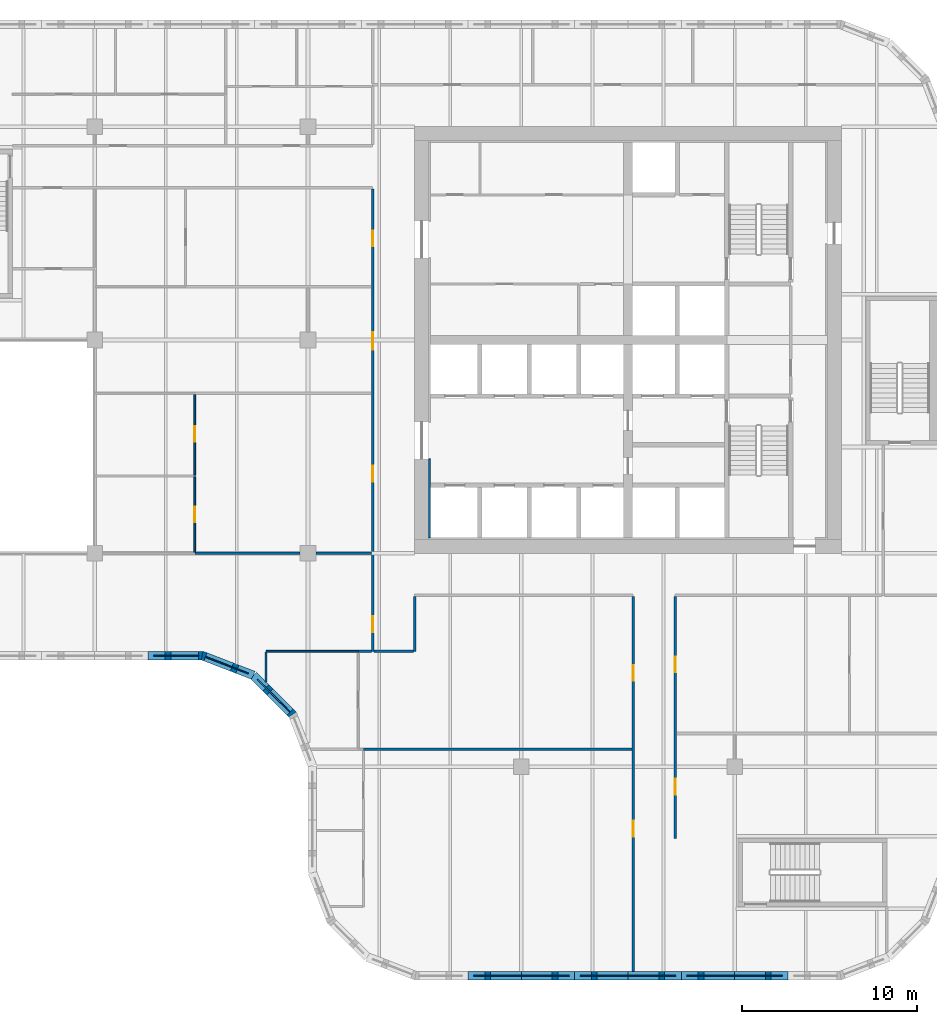
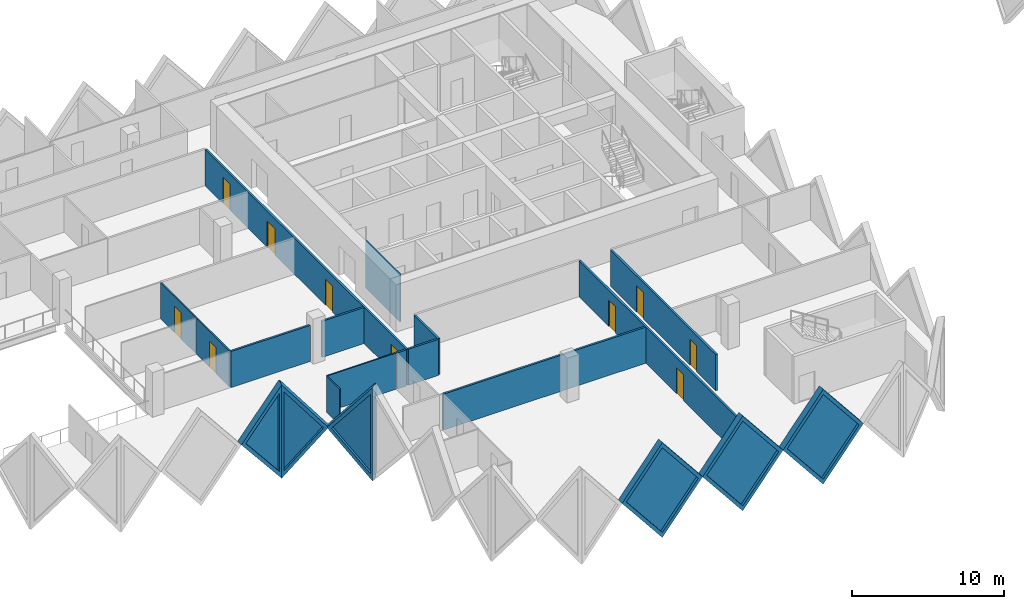
# One storey, part 5 of 21: 20 walls, 10 doors, 6 plates, 16 openings.
"""IFC4 building model written with IfcOpenShell, lengths in metres."""

from ifc_helpers import new_model, si_unit, direction, frame, frame_2d, origin, place, context, subcontext, project, spatial, polyline, rectangle, outline, extrude, faceted_brep, source, transform, mapped, material, layer, layer_set, type_object, element, fill, save


model = new_model("IFC4")

# Units and contexts
model_context = context("Model", 3, precision=1e-05, world=origin(), true_north=direction((0.0, 1.0)))
body_context = subcontext(model_context, "Body", "Model", "MODEL_VIEW")
ifc_project = project(units=[si_unit("LENGTHUNIT", "METRE"), si_unit("AREAUNIT", "SQUARE_METRE"), si_unit("VOLUMEUNIT", "CUBIC_METRE"), si_unit("PLANEANGLEUNIT", "RADIAN"), si_unit("MASSUNIT", "GRAM", prefix="KILO")], contexts=[model_context])

# Site, building, storey
site_placement = place(None, origin())
site = spatial("IfcSite", under=ifc_project, at=site_placement, CompositionType="ELEMENT")
building_placement = place(site_placement, origin())
building = spatial("IfcBuilding", under=site, at=building_placement, Name="Tessera Gate Towers", CompositionType="ELEMENT")
storey_placement = place(building_placement, frame((0.0, 0.0, 91.39990234375)))
storey = spatial("IfcBuildingStorey", under=building, at=storey_placement, Name="L22", CompositionType="ELEMENT", Elevation=91.39990234375)

# Wall
ifc_material_1 = material(Name="Concrete C60/75", Category="concrete")
ifc_layer_1 = layer(ifc_material_1, 0.10009765625)
ifc_layer_set_1 = layer_set([ifc_layer_1], Name="CORE WALL THICKENING 100")
wall_type_1 = type_object("IfcWallType", Name="CORE WALL THICKENING 100", PredefinedType="SOLIDWALL", material=ifc_layer_set_1)
wall_1_placement = place(storey_placement, frame((31.35009765625, 25.300048828125, 0.0), z_axis=(0.0, 0.0, 1.0), x_axis=(0.0, 1.0, 0.0)))
element("IfcWall", 1, at=wall_1_placement, inside=storey, type_object=wall_type_1, Name="Core wall thickening W L22", PredefinedType="SOLIDWALL", context=body_context, shape_type="SweptSolid", body=[
    extrude(rectangle(XDim=4.5, YDim=0.10009765625, at=frame_2d((2.25, 0.0))), origin(), (0.0, 0.0, 1.0), 3.800048828125),
])

# Wall, openings, doors
ifc_material_2 = material(Name="Gypsum board on steel studs, mineral wool", Category="steel")
ifc_layer_2 = layer(ifc_material_2, 0.14990234375)
ifc_layer_set_2 = layer_set([ifc_layer_2], Name="CORRIDOR WALL 150")
wall_type_2 = type_object("IfcWallType", Name="CORRIDOR WALL 150", PredefinedType="PARTITIONING", material=ifc_layer_set_2)
wall_2_placement = place(storey_placement, frame((43.0, 0.5, 0.0), z_axis=(0.0, 0.0, 1.0), x_axis=(0.0, 1.0, 0.0)))
wall_2 = element("IfcWall", 2, at=wall_2_placement, inside=storey, type_object=wall_type_2, Name="T1-L22-PW-001", PredefinedType="PARTITIONING", context=body_context, shape_type="SweptSolid", body=[
    extrude(rectangle(XDim=21.424072265625, YDim=0.14990234375, at=frame_2d((10.7119140625, 0.0))), origin(), (0.0, 0.0, 1.0), 2.89501953125),
])
shared_shape_1 = source(origin(), body_context, "Body", "SweptSolid", [
    extrude(rectangle(XDim=0.89990234375, YDim=2.10009765625, at=frame_2d((0.449951171875, 1.050048828125))), frame((0.0, 0.0849609375, 0.0), z_axis=(0.0, -1.0, 0.0), x_axis=(1.0, 0.0, 0.0)), (0.0, 0.0, 1.0), 0.169921875),
])
opening_1_placement = place(wall_2_placement, frame((16.60107421875, 0.0, 0.0)))
opening_1 = element("IfcOpeningElement", 3, at=opening_1_placement, cuts=wall_2, Name="Opening D890FD60-A08-07", PredefinedType="OPENING", context=body_context, shape_type="MappedRepresentation", body=[
    mapped(shared_shape_1, transform((0.0, 0.0, 0.0), scale=1.0)),
])
opening_2_placement = place(wall_2_placement, frame((7.699951171875, 0.0, 0.0)))
opening_2 = element("IfcOpeningElement", 4, at=opening_2_placement, cuts=wall_2, Name="Opening D890FD60-A08-08", PredefinedType="OPENING", context=body_context, shape_type="MappedRepresentation", body=[
    mapped(shared_shape_1, transform((0.0, 0.0, 0.0), scale=1.0)),
])
ifc_material_3 = material(Name="Timber door leaf in steel frame", Category="steel")
door_type_1 = type_object("IfcDoorType", Name="CORRIDOR DOOR 900 FD60", OperationType="NOTDEFINED", PredefinedType="DOOR", material=ifc_material_3)
shared_shape_2 = source(origin(), body_context, "Body", "SweptSolid", [
    extrude(rectangle(XDim=0.89990234375, YDim=2.10009765625, at=frame_2d((0.449951171875, 1.050048828125))), frame((0.0, 0.02490234375, 0.0), z_axis=(0.0, -1.0, 0.0), x_axis=(1.0, 0.0, 0.0)), (0.0, 0.0, 1.0), 0.050048828125),
])
door_1_placement = place(opening_1_placement, origin())
door_1 = element("IfcDoor", 5, at=door_1_placement, inside=storey, type_object=door_type_1, Name="T1-L22-PD-022", OperationType="SINGLE_SWING_LEFT", OverallHeight=2.10009765625, OverallWidth=0.89990234375, PredefinedType="DOOR", context=body_context, shape_type="MappedRepresentation", body=[
    mapped(shared_shape_2, transform((0.0, 0.0, 0.0), scale=1.0)),
])
fill(opening_1, door_1)
door_2_placement = place(opening_2_placement, origin())
door_2 = element("IfcDoor", 6, at=door_2_placement, inside=storey, type_object=door_type_1, Name="T1-L22-PD-023", OperationType="SINGLE_SWING_LEFT", OverallHeight=2.10009765625, OverallWidth=0.89990234375, PredefinedType="DOOR", context=body_context, shape_type="MappedRepresentation", body=[
    mapped(shared_shape_2, transform((0.0, 0.0, 0.0), scale=1.0)),
])
fill(opening_2, door_2)

wall_3_placement = place(storey_placement, frame((45.39990234375, 21.924072265625, 0.0), z_axis=(0.0, 0.0, 1.0), x_axis=(0.0, -1.0, 0.0)))
wall_3 = element("IfcWall", 7, at=wall_3_placement, inside=storey, type_object=wall_type_2, Name="T1-L22-PW-005", PredefinedType="PARTITIONING", context=body_context, shape_type="SweptSolid", body=[
    extrude(rectangle(XDim=13.823974609375, YDim=0.14990234375, at=frame_2d((6.912109375, 0.0))), origin(), (0.0, 0.0, 1.0), 2.89501953125),
])
opening_3_placement = place(wall_3_placement, frame((10.424072265625, 0.0, 0.0)))
opening_3 = element("IfcOpeningElement", 8, at=opening_3_placement, cuts=wall_3, Name="Opening D890FD60-A08-03", PredefinedType="OPENING", context=body_context, shape_type="MappedRepresentation", body=[
    mapped(shared_shape_1, transform((0.0, 0.0, 0.0), scale=1.0)),
])
opening_4_placement = place(wall_3_placement, frame((3.424072265625, 0.0, 0.0)))
opening_4 = element("IfcOpeningElement", 9, at=opening_4_placement, cuts=wall_3, Name="Opening D890FD60-A08-04", PredefinedType="OPENING", context=body_context, shape_type="MappedRepresentation", body=[
    mapped(shared_shape_1, transform((0.0, 0.0, 0.0), scale=1.0)),
])
door_3_placement = place(opening_3_placement, origin())
door_3 = element("IfcDoor", 10, at=door_3_placement, inside=storey, type_object=door_type_1, Name="T1-L22-PD-014", OperationType="SINGLE_SWING_RIGHT", OverallHeight=2.10009765625, OverallWidth=0.89990234375, PredefinedType="DOOR", context=body_context, shape_type="MappedRepresentation", body=[
    mapped(shared_shape_2, transform((0.0, 0.0, 0.0), scale=1.0)),
])
fill(opening_3, door_3)
door_4_placement = place(opening_4_placement, origin())
door_4 = element("IfcDoor", 11, at=door_4_placement, inside=storey, type_object=door_type_1, Name="T1-L22-PD-019", OperationType="SINGLE_SWING_RIGHT", OverallHeight=2.10009765625, OverallWidth=0.89990234375, PredefinedType="DOOR", context=body_context, shape_type="MappedRepresentation", body=[
    mapped(shared_shape_2, transform((0.0, 0.0, 0.0), scale=1.0)),
])
fill(opening_4, door_4)

wall_4_placement = place(storey_placement, frame((28.10009765625, 18.800048828125, 0.0), z_axis=(0.0, 0.0, 1.0), x_axis=(0.0, 1.0, 0.0)))
wall_4 = element("IfcWall", 12, at=wall_4_placement, inside=storey, type_object=wall_type_2, Name="T1-L22-PW-018", PredefinedType="PARTITIONING", context=body_context, shape_type="SweptSolid", body=[
    extrude(rectangle(XDim=26.424072265625, YDim=0.14990234375, at=frame_2d((13.2119140625, 0.0))), origin(), (0.0, 0.0, 1.0), 2.89501953125),
])
opening_5_placement = place(wall_4_placement, frame((1.10009765625, 0.0, 0.0)))
opening_5 = element("IfcOpeningElement", 13, at=opening_5_placement, cuts=wall_4, Name="Opening D890FD60-A08-01", PredefinedType="OPENING", context=body_context, shape_type="MappedRepresentation", body=[
    mapped(shared_shape_1, transform((0.0, 0.0, 0.0), scale=1.0)),
])
opening_6_placement = place(wall_4_placement, frame((23.15087890625, 0.0, 0.0)))
opening_6 = element("IfcOpeningElement", 14, at=opening_6_placement, cuts=wall_4, Name="Opening D890FD60-A08-02", PredefinedType="OPENING", context=body_context, shape_type="MappedRepresentation", body=[
    mapped(shared_shape_1, transform((0.0, 0.0, 0.0), scale=1.0)),
])
shared_shape_3 = source(origin(), body_context, "Body", "SweptSolid", [
    extrude(rectangle(XDim=1.0, YDim=2.10009765625, at=frame_2d((0.5, 1.050048828125))), frame((0.0, 0.0849609375, 0.0), z_axis=(0.0, -1.0, 0.0), x_axis=(1.0, 0.0, 0.0)), (0.0, 0.0, 1.0), 0.169921875),
])
opening_7_placement = place(wall_4_placement, frame((17.2509765625, 0.0, 0.0)))
opening_7 = element("IfcOpeningElement", 15, at=opening_7_placement, cuts=wall_4, Name="Opening D2100FD60-A08-02", PredefinedType="OPENING", context=body_context, shape_type="MappedRepresentation", body=[
    mapped(shared_shape_3, transform((0.0, 0.0, 0.0), scale=1.0)),
])
opening_8_placement = place(wall_4_placement, frame((9.699951171875, 0.0, 0.0)))
opening_8 = element("IfcOpeningElement", 16, at=opening_8_placement, cuts=wall_4, Name="Opening D890FD60-A08-11", PredefinedType="OPENING", context=body_context, shape_type="MappedRepresentation", body=[
    mapped(shared_shape_1, transform((0.0, 0.0, 0.0), scale=1.0)),
])
door_5_placement = place(opening_5_placement, origin())
door_5 = element("IfcDoor", 17, at=door_5_placement, inside=storey, type_object=door_type_1, Name="T1-L22-PD-001", OperationType="SINGLE_SWING_LEFT", OverallHeight=2.10009765625, OverallWidth=0.89990234375, PredefinedType="DOOR", context=body_context, shape_type="MappedRepresentation", body=[
    mapped(shared_shape_2, transform((0.0, 0.0, 0.0), scale=1.0)),
])
fill(opening_5, door_5)
door_6_placement = place(opening_6_placement, origin())
door_6 = element("IfcDoor", 18, at=door_6_placement, inside=storey, type_object=door_type_1, Name="T1-L22-PD-012", OperationType="SINGLE_SWING_LEFT", OverallHeight=2.10009765625, OverallWidth=0.89990234375, PredefinedType="DOOR", context=body_context, shape_type="MappedRepresentation", body=[
    mapped(shared_shape_2, transform((0.0, 0.0, 0.0), scale=1.0)),
])
fill(opening_6, door_6)
door_7_placement = place(opening_8_placement, origin())
door_7 = element("IfcDoor", 19, at=door_7_placement, inside=storey, type_object=door_type_1, Name="T1-L22-PD-026", OperationType="SINGLE_SWING_LEFT", OverallHeight=2.10009765625, OverallWidth=0.89990234375, PredefinedType="DOOR", context=body_context, shape_type="MappedRepresentation", body=[
    mapped(shared_shape_2, transform((0.0, 0.0, 0.0), scale=1.0)),
])
fill(opening_8, door_7)
ifc_material_4 = material(Name="Timber door leaf in steel frame", Category="steel")
door_type_2 = type_object("IfcDoorType", Name="TENANCY ENTRANCE DOOR 1000 FD60", OperationType="NOTDEFINED", PredefinedType="DOOR", material=ifc_material_4)
shared_shape_4 = source(origin(), body_context, "Body", "SweptSolid", [
    extrude(rectangle(XDim=1.0, YDim=2.10009765625, at=frame_2d((0.5, 1.050048828125))), frame((0.0, 0.02490234375, 0.0), z_axis=(0.0, -1.0, 0.0), x_axis=(1.0, 0.0, 0.0)), (0.0, 0.0, 1.0), 0.050048828125),
])
door_8_placement = place(opening_7_placement, origin())
door_8 = element("IfcDoor", 20, at=door_8_placement, inside=storey, type_object=door_type_2, Name="T1-L22-PD-015", OperationType="SINGLE_SWING_LEFT", OverallHeight=2.10009765625, OverallWidth=1.0, PredefinedType="DOOR", context=body_context, shape_type="MappedRepresentation", body=[
    mapped(shared_shape_4, transform((0.0, 0.0, 0.0), scale=1.0)),
])
fill(opening_7, door_8)

# Walls
wall_5_placement = place(storey_placement, frame((28.176025390625, 18.800048828125, 0.0), z_axis=(0.0, 0.0, 1.0), x_axis=(1.0, 0.0, 0.0)))
element("IfcWall", 21, at=wall_5_placement, inside=storey, type_object=wall_type_2, Name="T1-L22-PW-019", PredefinedType="PARTITIONING", context=body_context, shape_type="SweptSolid", body=[
    extrude(rectangle(XDim=2.248046875, YDim=0.14990234375, at=frame_2d((1.1240234375, 0.0))), origin(), (0.0, 0.0, 1.0), 2.89501953125),
])
wall_6_placement = place(storey_placement, frame((30.5, 18.800048828125, 0.0), z_axis=(0.0, 0.0, 1.0), x_axis=(0.0, 1.0, 0.0)))
element("IfcWall", 22, at=wall_6_placement, inside=storey, type_object=wall_type_2, Name="T1-L22-PW-020", PredefinedType="PARTITIONING", context=body_context, shape_type="SweptSolid", body=[
    extrude(rectangle(XDim=3.1240234375, YDim=0.14990234375, at=frame_2d((1.56201171875, 0.0))), origin(), (0.0, 0.0, 1.0), 2.89501953125),
])
ifc_material_5 = material(Name="Glass", Category="glass")
ifc_layer_3 = layer(ifc_material_5, 0.10009765625)
ifc_layer_set_3 = layer_set([ifc_layer_3], Name="GLAZED PARTITION 100")
wall_type_3 = type_object("IfcWallType", Name="GLAZED PARTITION 100", PredefinedType="PARTITIONING", material=ifc_layer_set_3)
wall_7_placement = place(storey_placement, frame((22.0, 17.054931640625, 0.0), z_axis=(0.0, 0.0, 1.0), x_axis=(0.0, 1.0, 0.0)))
element("IfcWall", 23, at=wall_7_placement, inside=storey, type_object=wall_type_3, Name="T1-L22-PW-015", PredefinedType="PARTITIONING", context=body_context, shape_type="SweptSolid", body=[
    extrude(rectangle(XDim=1.694091796875, YDim=0.10009765625, at=frame_2d((0.84716796875, 0.0))), origin(), (0.0, 0.0, 1.0), 2.89501953125),
])
wall_8_placement = place(storey_placement, frame((22.0, 18.800048828125, 0.0), z_axis=(0.0, 0.0, 1.0), x_axis=(1.0, 0.0, 0.0)))
element("IfcWall", 24, at=wall_8_placement, inside=storey, type_object=wall_type_3, Name="T1-L22-PW-016", PredefinedType="PARTITIONING", context=body_context, shape_type="SweptSolid", body=[
    extrude(rectangle(XDim=5.27392578125, YDim=0.10009765625, at=frame_2d((2.636962890625, 0.0))), origin(), (0.0, 0.0, 1.0), 2.89501953125),
])

# Wall, opening, door
wall_9_placement = place(storey_placement, frame((17.925048828125, 24.47607421875, 0.0), z_axis=(0.0, 0.0, 1.0), x_axis=(0.0, 1.0, 0.0)))
wall_9 = element("IfcWall", 25, at=wall_9_placement, inside=storey, type_object=wall_type_3, Name="T1-L22-PW-029", PredefinedType="PARTITIONING", context=body_context, shape_type="SweptSolid", body=[
    extrude(rectangle(XDim=4.293212890625, YDim=0.10009765625, at=frame_2d((2.146484375, 0.0))), origin(), (0.0, 0.0, 1.0), 2.89501953125),
])
shared_shape_5 = source(origin(), body_context, "Body", "SweptSolid", [
    extrude(rectangle(XDim=0.89990234375, YDim=2.10009765625, at=frame_2d((0.449951171875, 1.050048828125))), frame((0.0, 0.06005859375, 0.0), z_axis=(0.0, -1.0, 0.0), x_axis=(1.0, 0.0, 0.0)), (0.0, 0.0, 1.0), 0.1201171875),
])
opening_9_placement = place(wall_9_placement, frame((1.699951171875, 0.0, 0.0)))
opening_9 = element("IfcOpeningElement", 26, at=opening_9_placement, cuts=wall_9, Name="Opening D690-A08-01", PredefinedType="OPENING", context=body_context, shape_type="MappedRepresentation", body=[
    mapped(shared_shape_5, transform((0.0, 0.0, 0.0), scale=1.0)),
])
ifc_material_6 = material(Name="Glass in aluminium frame", Category="aluminium")
door_type_3 = type_object("IfcDoorType", Name="GLAZED DOOR 900 NOT RATED", OperationType="NOTDEFINED", PredefinedType="DOOR", material=ifc_material_6)
door_9_placement = place(opening_9_placement, origin())
door_9 = element("IfcDoor", 27, at=door_9_placement, inside=storey, type_object=door_type_3, Name="T1-L22-PD-004", OperationType="SINGLE_SWING_LEFT", OverallHeight=2.10009765625, OverallWidth=0.89990234375, PredefinedType="DOOR", context=body_context, shape_type="MappedRepresentation", body=[
    mapped(shared_shape_2, transform((0.0, 0.0, 0.0), scale=1.0)),
])
fill(opening_9, door_9)

wall_10_placement = place(storey_placement, frame((17.925048828125, 28.871337890625, 0.0), z_axis=(0.0, 0.0, 1.0), x_axis=(0.0, 1.0, 0.0)))
wall_10 = element("IfcWall", 28, at=wall_10_placement, inside=storey, type_object=wall_type_3, Name="T1-L22-PW-031", PredefinedType="PARTITIONING", context=body_context, shape_type="SweptSolid", body=[
    extrude(rectangle(XDim=4.602783203125, YDim=0.10009765625, at=frame_2d((2.30126953125, 0.0))), origin(), (0.0, 0.0, 1.0), 2.89501953125),
])
opening_10_placement = place(wall_10_placement, frame((1.89990234375, 0.0, 0.0)))
opening_10 = element("IfcOpeningElement", 29, at=opening_10_placement, cuts=wall_10, Name="Opening D690-A08-03", PredefinedType="OPENING", context=body_context, shape_type="MappedRepresentation", body=[
    mapped(shared_shape_5, transform((0.0, 0.0, 0.0), scale=1.0)),
])
door_10_placement = place(opening_10_placement, origin())
door_10 = element("IfcDoor", 30, at=door_10_placement, inside=storey, type_object=door_type_3, Name="T1-L22-PD-006", OperationType="SINGLE_SWING_LEFT", OverallHeight=2.10009765625, OverallWidth=0.89990234375, PredefinedType="DOOR", context=body_context, shape_type="MappedRepresentation", body=[
    mapped(shared_shape_2, transform((0.0, 0.0, 0.0), scale=1.0)),
])
fill(opening_10, door_10)

# Walls
ifc_material_7 = material(Name="Gypsum board on steel studs, mineral wool", Category="steel")
ifc_layer_4 = layer(ifc_material_7, 0.14990234375)
ifc_layer_set_4 = layer_set([ifc_layer_4], Name="TENANCY WALL 150")
wall_type_4 = type_object("IfcWallType", Name="TENANCY WALL 150", PredefinedType="PARTITIONING", material=ifc_layer_set_4)
wall_11_placement = place(storey_placement, frame((27.574951171875, 13.199951171875, 0.0), z_axis=(0.0, 0.0, 1.0), x_axis=(1.0, 0.0, 0.0)))
element("IfcWall", 31, at=wall_11_placement, inside=storey, type_object=wall_type_4, Name="T1-L22-PW-011", PredefinedType="PARTITIONING", context=body_context, shape_type="SweptSolid", body=[
    extrude(rectangle(XDim=15.34912109375, YDim=0.14990234375, at=frame_2d((7.674560546875, 0.0))), origin(), (0.0, 0.0, 1.0), 2.89501953125),
])
wall_12_placement = place(storey_placement, frame((27.27490234375, 18.800048828125, 0.0), z_axis=(0.0, 0.0, 1.0), x_axis=(1.0, 0.0, 0.0)))
element("IfcWall", 32, at=wall_12_placement, inside=storey, type_object=wall_type_4, Name="T1-L22-PW-017", PredefinedType="PARTITIONING", context=body_context, shape_type="SweptSolid", body=[
    extrude(rectangle(XDim=0.7490234375, YDim=0.14990234375, at=frame_2d((0.37451171875, 0.0))), origin(), (0.0, 0.0, 1.0), 2.89501953125),
])
wall_13_placement = place(storey_placement, frame((17.925048828125, 24.39990234375, 0.0), z_axis=(0.0, 0.0, 1.0), x_axis=(1.0, 0.0, 0.0)))
element("IfcWall", 33, at=wall_13_placement, inside=storey, type_object=wall_type_4, Name="T1-L22-PW-027", PredefinedType="PARTITIONING", context=body_context, shape_type="SweptSolid", body=[
    extrude(rectangle(XDim=6.02392578125, YDim=0.14990234375, at=frame_2d((3.011962890625, 0.0))), origin(), (0.0, 0.0, 1.0), 2.89501953125),
])
wall_14_placement = place(storey_placement, frame((24.85107421875, 24.39990234375, 0.0), z_axis=(0.0, 0.0, 1.0), x_axis=(1.0, 0.0, 0.0)))
element("IfcWall", 34, at=wall_14_placement, inside=storey, type_object=wall_type_4, Name="T1-L22-PW-028", PredefinedType="PARTITIONING", context=body_context, shape_type="SweptSolid", body=[
    extrude(rectangle(XDim=3.1728515625, YDim=0.14990234375, at=frame_2d((1.58642578125, 0.0))), origin(), (0.0, 0.0, 1.0), 2.89501953125),
])

# Wall, opening, plate
ifc_material_8 = material(Name="Precast concrete C60/75 white", Category="concrete")
ifc_layer_5 = layer(ifc_material_8, 0.5)
ifc_layer_set_5 = layer_set([ifc_layer_5], Name="TS1 tessera")
wall_type_5 = type_object("IfcWallType", Name="TS1 tessera", PredefinedType="SOLIDWALL", material=ifc_layer_set_5)
shared_shape_6 = source(origin(), body_context, "Body", "Brep", [
    faceted_brep([(3.050048828125, -0.25, 0.0), (6.099853515625, -0.25, 3.799560546875), (6.099853515625, -0.25, 3.800048828125), (3.050048828125, -0.25, 7.599853515625), (0.0, -0.25, 3.7998046875), (0.0, 0.25, 3.7998046875), (3.050048828125, 0.25, 7.599853515625), (6.099853515625, 0.25, 3.800048828125), (6.099853515625, 0.25, 3.799560546875), (3.050048828125, 0.25, 0.0)], [[[0, 1, 2, 3, 4]], [[5, 6, 7, 8, 9]], [[9, 8, 1, 0]], [[7, 6, 3, 2]], [[6, 5, 4, 3]], [[5, 9, 0, 4]], [[1, 8, 7, 2]]]),
])
wall_15_placement = place(storey_placement, frame((33.550048828125, 0.25, -3.7998046875), z_axis=(0.0, 0.0, 1.0), x_axis=(1.0, 0.0, 0.0)))
wall_15 = element("IfcWall", 35, at=wall_15_placement, inside=storey, type_object=wall_type_5, Name="Precast tessera T1 TS1-0345", PredefinedType="SOLIDWALL", context=body_context, shape_type="MappedRepresentation", body=[
    mapped(shared_shape_6, transform((0.0, 0.0, 0.0), scale=1.0)),
])
shared_shape_7 = source(origin(), body_context, "Body", "SweptSolid", [
    extrude(outline(polyline([(3.050048828125, 0.3994140625), (5.779541015625, 3.7998046875), (3.050048828125, 7.200439453125), (0.320556640625, 3.7998046875), (3.050048828125, 0.3994140625)])), frame((0.0, 0.260009765625, 0.0), z_axis=(0.0, -1.0, 0.0), x_axis=(1.0, 0.0, 0.0)), (0.0, 0.0, 1.0), 0.52001953125),
])
opening_11_placement = place(wall_15_placement, origin())
opening_11 = element("IfcOpeningElement", 36, at=opening_11_placement, cuts=wall_15, Name="Opening T1-PL2-0707", PredefinedType="OPENING", context=body_context, shape_type="MappedRepresentation", body=[
    mapped(shared_shape_7, transform((0.0, 0.0, 0.0), scale=1.0)),
])
ifc_material_9 = material(Name="Low-e laminated glass", Category="glass")
ifc_layer_6 = layer(ifc_material_9, 0.06005859375)
ifc_layer_set_6 = layer_set([ifc_layer_6], Name="PL2 rhombic pane")
plate_type = type_object("IfcPlateType", Name="PL2 rhombic pane", PredefinedType="SHEET", material=ifc_layer_set_6)
shared_shape_8 = source(origin(), body_context, "Body", "SweptSolid", [
    extrude(outline(polyline([(3.050048828125, 0.3994140625), (5.779541015625, 3.7998046875), (3.050048828125, 7.200439453125), (0.320556640625, 3.7998046875), (3.050048828125, 0.3994140625)])), frame((0.0, 0.030029296875, 0.0), z_axis=(0.0, -1.0, 0.0), x_axis=(1.0, 0.0, 0.0)), (0.0, 0.0, 1.0), 0.06005859375),
])
plate_1_placement = place(opening_11_placement, origin())
plate_1 = element("IfcPlate", 37, at=plate_1_placement, inside=storey, type_object=plate_type, Name="Glass pane T1 PL2-0707", PredefinedType="SHEET", context=body_context, shape_type="MappedRepresentation", body=[
    mapped(shared_shape_8, transform((0.0, 0.0, 0.0), scale=1.0)),
])
fill(opening_11, plate_1)

shared_shape_9 = source(origin(), body_context, "Body", "SweptSolid", [
    extrude(outline(polyline([(3.050048828125, 0.0), (6.10009765625, 3.7998046875), (3.050048828125, 7.599853515625), (0.0, 3.7998046875), (3.050048828125, 0.0)])), frame((0.0, 0.25, 0.0), z_axis=(0.0, -1.0, 0.0), x_axis=(1.0, 0.0, 0.0)), (0.0, 0.0, 1.0), 0.5),
])
wall_16_placement = place(storey_placement, frame((39.64990234375, 0.25, -3.7998046875), z_axis=(0.0, 0.0, 1.0), x_axis=(1.0, 0.0, 0.0)))
wall_16 = element("IfcWall", 38, at=wall_16_placement, inside=storey, type_object=wall_type_5, Name="Precast tessera T1 TS1-0346", PredefinedType="SOLIDWALL", context=body_context, shape_type="MappedRepresentation", body=[
    mapped(shared_shape_9, transform((0.0, 0.0, 0.0), scale=1.0)),
])
opening_12_placement = place(wall_16_placement, origin())
opening_12 = element("IfcOpeningElement", 39, at=opening_12_placement, cuts=wall_16, Name="Opening T1-PL2-0708", PredefinedType="OPENING", context=body_context, shape_type="MappedRepresentation", body=[
    mapped(shared_shape_7, transform((0.0, 0.0, 0.0), scale=1.0)),
])
plate_2_placement = place(opening_12_placement, origin())
plate_2 = element("IfcPlate", 40, at=plate_2_placement, inside=storey, type_object=plate_type, Name="Glass pane T1 PL2-0708", PredefinedType="SHEET", context=body_context, shape_type="MappedRepresentation", body=[
    mapped(shared_shape_8, transform((0.0, 0.0, 0.0), scale=1.0)),
])
fill(opening_12, plate_2)

wall_17_placement = place(storey_placement, frame((45.75, 0.25, -3.7998046875), z_axis=(0.0, 0.0, 1.0), x_axis=(1.0, 0.0, 0.0)))
wall_17 = element("IfcWall", 41, at=wall_17_placement, inside=storey, type_object=wall_type_5, Name="Precast tessera T1 TS1-0347", PredefinedType="SOLIDWALL", context=body_context, shape_type="MappedRepresentation", body=[
    mapped(shared_shape_9, transform((0.0, 0.0, 0.0), scale=1.0)),
])
opening_13_placement = place(wall_17_placement, origin())
opening_13 = element("IfcOpeningElement", 42, at=opening_13_placement, cuts=wall_17, Name="Opening T1-PL2-0709", PredefinedType="OPENING", context=body_context, shape_type="MappedRepresentation", body=[
    mapped(shared_shape_7, transform((0.0, 0.0, 0.0), scale=1.0)),
])
plate_3_placement = place(opening_13_placement, origin())
plate_3 = element("IfcPlate", 43, at=plate_3_placement, inside=storey, type_object=plate_type, Name="Glass pane T1 PL2-0709", PredefinedType="SHEET", context=body_context, shape_type="MappedRepresentation", body=[
    mapped(shared_shape_8, transform((0.0, 0.0, 0.0), scale=1.0)),
])
fill(opening_13, plate_3)

ifc_material_10 = material(Name="Precast concrete C60/75 white", Category="concrete")
ifc_layer_7 = layer(ifc_material_10, 0.5)
ifc_layer_set_7 = layer_set([ifc_layer_7], Name="TS3 corner tessera")
wall_type_6 = type_object("IfcWallType", Name="TS3 corner tessera", PredefinedType="SOLIDWALL", material=ifc_layer_set_7)
shared_shape_10 = source(origin(), body_context, "Body", "Brep", [
    faceted_brep([(3.050048828125, -0.25, 7.54296875), (0.0, -0.25, 3.7998046875), (3.050048828125, -0.25, 0.056884765625), (0.0, 0.25, 3.7998046875), (3.096435546875, 0.25, 7.599853515625), (3.14306640625, 0.25, 7.54345703125), (3.14306640625, 0.25, 0.056396484375), (3.096435546875, 0.25, 0.0), (3.096435546875, -0.00048828125, 0.0), (3.096435546875, -0.00048828125, 7.599853515625)], [[[0, 1, 2]], [[3, 4, 5, 6, 7]], [[7, 6, 8]], [[5, 4, 9]], [[4, 3, 1, 0, 9]], [[3, 7, 8, 2, 1]], [[2, 8, 6, 5, 9, 0]]]),
])
wall_18_placement = place(storey_placement, frame((15.25, 18.550048828125, -3.7998046875), z_axis=(0.0, 0.0, 1.0), x_axis=(1.0, 0.0, 0.0)))
wall_18 = element("IfcWall", 44, at=wall_18_placement, inside=storey, type_object=wall_type_6, Name="Precast corner tessera T1 TS3-0499", PredefinedType="SOLIDWALL", context=body_context, shape_type="MappedRepresentation", body=[
    mapped(shared_shape_10, transform((0.0, 0.0, 0.0), scale=1.0)),
])
shared_shape_11 = source(origin(), body_context, "Body", "SweptSolid", [
    extrude(outline(polyline([(2.896484375, 6.958740234375), (0.322509765625, 3.7998046875), (2.896484375, 0.64111328125), (2.896484375, 6.958740234375)])), frame((0.0, 0.260009765625, 0.0), z_axis=(0.0, -1.0, 0.0), x_axis=(1.0, 0.0, 0.0)), (0.0, 0.0, 1.0), 0.52001953125),
])
opening_14_placement = place(wall_18_placement, origin())
opening_14 = element("IfcOpeningElement", 45, at=opening_14_placement, cuts=wall_18, Name="Opening T1-PL2-0745", PredefinedType="OPENING", context=body_context, shape_type="MappedRepresentation", body=[
    mapped(shared_shape_11, transform((0.0, 0.0, 0.0), scale=1.0)),
])
shared_shape_12 = source(origin(), body_context, "Body", "SweptSolid", [
    extrude(outline(polyline([(2.896484375, 6.958740234375), (0.322509765625, 3.7998046875), (2.896484375, 0.64111328125), (2.896484375, 6.958740234375)])), frame((0.0, 0.030029296875, 0.0), z_axis=(0.0, -1.0, 0.0), x_axis=(1.0, 0.0, 0.0)), (0.0, 0.0, 1.0), 0.06005859375),
])
plate_4_placement = place(opening_14_placement, origin())
plate_4 = element("IfcPlate", 46, at=plate_4_placement, inside=storey, type_object=plate_type, Name="Glass pane T1 PL2-0745", PredefinedType="SHEET", context=body_context, shape_type="MappedRepresentation", body=[
    mapped(shared_shape_12, transform((0.0, 0.0, 0.0), scale=1.0)),
])
fill(opening_14, plate_4)

shared_shape_13 = source(origin(), body_context, "Body", "Brep", [
    faceted_brep([(0.09326171875, -0.25, 0.05615234375), (3.14306640625, -0.25, 3.736083984375), (3.14306640625, -0.25, 3.863525390625), (0.09326171875, -0.25, 7.543701171875), (0.0, 0.25, 7.542724609375), (0.046630859375, 0.25, 7.599853515625), (3.196044921875, 0.25, 3.7998046875), (0.046630859375, 0.25, 0.0), (0.0, 0.25, 0.05712890625), (3.196044921875, -0.000244140625, 3.7998046875), (0.046630859375, 0.0, 0.0), (0.046630859375, 0.0, 7.599853515625)], [[[0, 1, 2, 3]], [[4, 5, 6, 7, 8]], [[7, 6, 9, 1, 0, 10]], [[6, 5, 11, 3, 2, 9]], [[5, 4, 11]], [[8, 7, 10]], [[8, 10, 0, 3, 11, 4]], [[1, 9, 2]]]),
])
wall_19_placement = place(storey_placement, frame((18.302978515625, 18.56689453125, -3.7998046875), z_axis=(0.0, 0.0, 1.0), x_axis=(0.932978940178, -0.359930961693, 0.0)))
wall_19 = element("IfcWall", 47, at=wall_19_placement, inside=storey, type_object=wall_type_6, Name="Precast corner tessera T1 TS3-0500", PredefinedType="SOLIDWALL", context=body_context, shape_type="MappedRepresentation", body=[
    mapped(shared_shape_13, transform((0.0, 0.0, 0.0), scale=1.0)),
])
shared_shape_14 = source(origin(), body_context, "Body", "SweptSolid", [
    extrude(outline(polyline([(0.24658203125, 0.633056640625), (2.871337890625, 3.7998046875), (0.24658203125, 6.966796875), (0.24658203125, 0.633056640625)])), frame((0.0, 0.260009765625, 0.0), z_axis=(0.0, -1.0, 0.0), x_axis=(1.0, 0.0, 0.0)), (0.0, 0.0, 1.0), 0.52001953125),
])
opening_15_placement = place(wall_19_placement, origin())
opening_15 = element("IfcOpeningElement", 48, at=opening_15_placement, cuts=wall_19, Name="Opening T1-PL2-0746", PredefinedType="OPENING", context=body_context, shape_type="MappedRepresentation", body=[
    mapped(shared_shape_14, transform((0.0, 0.0, 0.0), scale=1.0)),
])
shared_shape_15 = source(origin(), body_context, "Body", "SweptSolid", [
    extrude(outline(polyline([(0.24658203125, 0.633056640625), (2.871337890625, 3.7998046875), (0.24658203125, 6.966796875), (0.24658203125, 0.633056640625)])), frame((0.0, 0.030029296875, 0.0), z_axis=(0.0, -1.0, 0.0), x_axis=(1.0, 0.0, 0.0)), (0.0, 0.0, 1.0), 0.06005859375),
])
plate_5_placement = place(opening_15_placement, origin())
plate_5 = element("IfcPlate", 49, at=plate_5_placement, inside=storey, type_object=plate_type, Name="Glass pane T1 PL2-0746", PredefinedType="SHEET", context=body_context, shape_type="MappedRepresentation", body=[
    mapped(shared_shape_15, transform((0.0, 0.0, 0.0), scale=1.0)),
])
fill(opening_15, plate_5)

shared_shape_16 = source(origin(), body_context, "Body", "Brep", [
    faceted_brep([(3.10302734375, -0.25, 7.5361328125), (0.052978515625, -0.25, 3.863525390625), (0.052978515625, -0.25, 3.736083984375), (3.10302734375, -0.25, 0.063720703125), (0.0, 0.25, 3.7998046875), (3.15576171875, 0.25, 7.599853515625), (3.208740234375, 0.25, 7.535888671875), (3.208740234375, 0.25, 0.06396484375), (3.15576171875, 0.25, 0.0), (3.15576171875, -0.00048828125, 0.0), (3.15576171875, -0.00048828125, 7.599853515625), (0.0, 0.0, 3.7998046875)], [[[0, 1, 2, 3]], [[4, 5, 6, 7, 8]], [[8, 7, 9]], [[6, 5, 10]], [[5, 4, 11, 1, 0, 10]], [[4, 8, 9, 3, 2, 11]], [[11, 2, 1]], [[3, 9, 7, 6, 10, 0]]]),
])
wall_20_placement = place(storey_placement, frame((21.284912109375, 17.41650390625, -3.7998046875), z_axis=(0.0, 0.0, 1.0), x_axis=(0.707106781187, -0.707106781187, 0.0)))
wall_20 = element("IfcWall", 50, at=wall_20_placement, inside=storey, type_object=wall_type_6, Name="Precast corner tessera T1 TS3-0501", PredefinedType="SOLIDWALL", context=body_context, shape_type="MappedRepresentation", body=[
    mapped(shared_shape_16, transform((0.0, 0.0, 0.0), scale=1.0)),
])
shared_shape_17 = source(origin(), body_context, "Body", "SweptSolid", [
    extrude(outline(polyline([(2.955810546875, 6.9677734375), (0.324951171875, 3.7998046875), (2.955810546875, 0.632080078125), (2.955810546875, 6.9677734375)])), frame((0.0, 0.260009765625, 0.0), z_axis=(0.0, -1.0, 0.0), x_axis=(1.0, 0.0, 0.0)), (0.0, 0.0, 1.0), 0.52001953125),
])
opening_16_placement = place(wall_20_placement, origin())
opening_16 = element("IfcOpeningElement", 51, at=opening_16_placement, cuts=wall_20, Name="Opening T1-PL2-0747", PredefinedType="OPENING", context=body_context, shape_type="MappedRepresentation", body=[
    mapped(shared_shape_17, transform((0.0, 0.0, 0.0), scale=1.0)),
])
shared_shape_18 = source(origin(), body_context, "Body", "SweptSolid", [
    extrude(outline(polyline([(2.955810546875, 6.9677734375), (0.324951171875, 3.7998046875), (2.955810546875, 0.632080078125), (2.955810546875, 6.9677734375)])), frame((0.0, 0.030029296875, 0.0), z_axis=(0.0, -1.0, 0.0), x_axis=(1.0, 0.0, 0.0)), (0.0, 0.0, 1.0), 0.06005859375),
])
plate_6_placement = place(opening_16_placement, origin())
plate_6 = element("IfcPlate", 52, at=plate_6_placement, inside=storey, type_object=plate_type, Name="Glass pane T1 PL2-0747", PredefinedType="SHEET", context=body_context, shape_type="MappedRepresentation", body=[
    mapped(shared_shape_18, transform((0.0, 0.0, 0.0), scale=1.0)),
])
fill(opening_16, plate_6)

save(model, "model.ifc")
